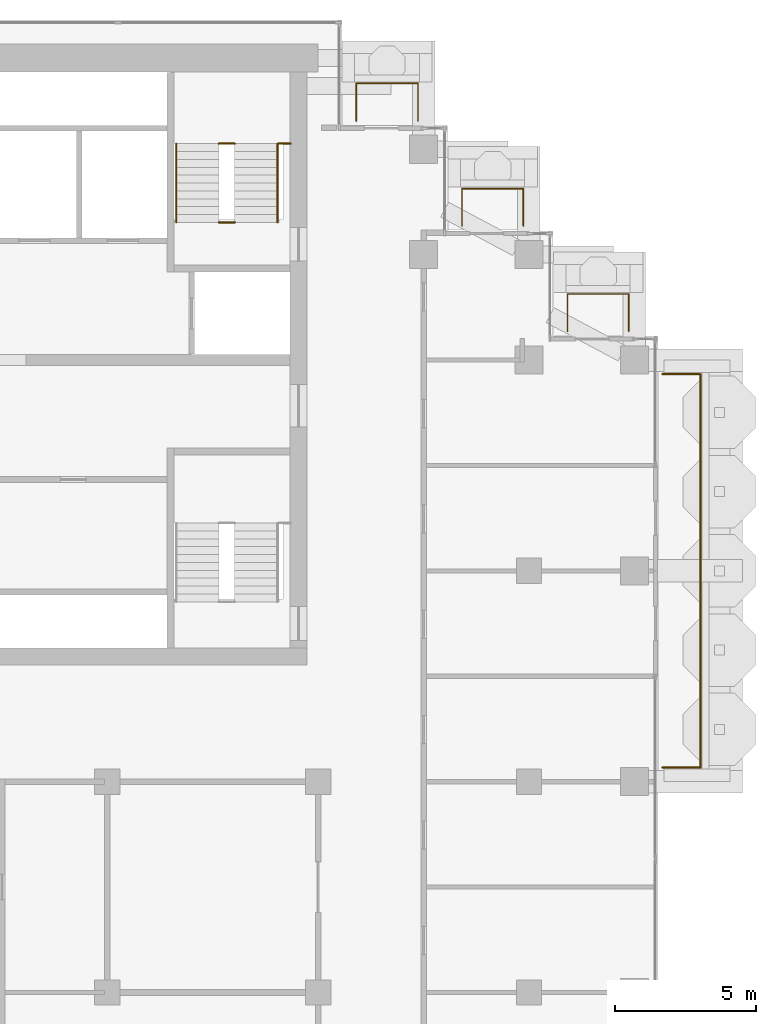
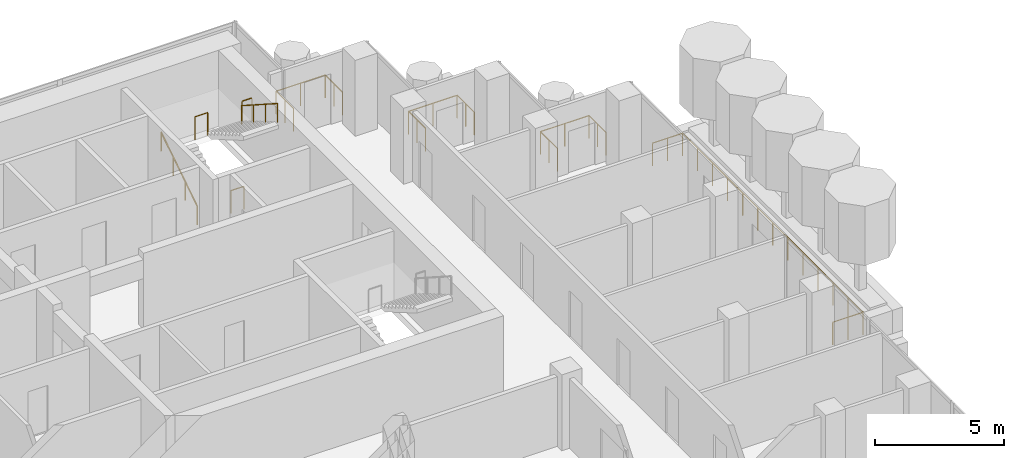
# One storey, part 18 of 19: 9 railings.
"""IFC4 building model written with IfcOpenShell, lengths in metres."""

from ifc_helpers import new_model, si_unit, direction, frame, origin, origin_2d, place, context, subcontext, project, spatial, circle, extrude, material, type_object, element, save


model = new_model("IFC4")

# Units and contexts
model_context = context("Model", 3, precision=1e-05, world=origin(), true_north=direction((0.0, 1.0)))
body_context = subcontext(model_context, "Body", "Model", "MODEL_VIEW")
ifc_project = project(units=[si_unit("LENGTHUNIT", "METRE"), si_unit("AREAUNIT", "SQUARE_METRE"), si_unit("VOLUMEUNIT", "CUBIC_METRE"), si_unit("PLANEANGLEUNIT", "RADIAN"), si_unit("MASSUNIT", "GRAM", prefix="KILO")], contexts=[model_context])

# Site, building, storey
site_placement = place(None, origin())
site = spatial("IfcSite", under=ifc_project, at=site_placement, CompositionType="ELEMENT")
building_placement = place(site_placement, origin())
building = spatial("IfcBuilding", under=site, at=building_placement, Name="Pilkhan Gate Tower", CompositionType="ELEMENT")
storey_placement = place(building_placement, frame((0.0, 0.0, 224.699951171875)))
storey = spatial("IfcBuildingStorey", under=building, at=storey_placement, Name="L58", CompositionType="ELEMENT", Elevation=224.699951171875)

# Railings
ifc_material_1 = material(Name="Pale anodised aluminium posts, laminated glass infill", Category="aluminium")
railing_type_1 = type_object("IfcRailingType", Name="Balcony guard G1", PredefinedType="BALUSTRADE", material=ifc_material_1)
railing_1_placement = place(storey_placement, frame((102.25, 68.0, 0.0)))
element("IfcRailing", 1, at=railing_1_placement, inside=storey, type_object=railing_type_1, Name="Balcony guard L58 E", PredefinedType="BALUSTRADE", context=body_context, shape_type="SweptSolid", body=[
    extrude(circle(Radius=0.02392578125, at=origin_2d()), frame((0.0, 0.0, 1.076171875), z_axis=(1.0, 0.0, 0.0), x_axis=(0.0, 1.0, 0.0)), (0.0, 0.0, 1.0), 1.35009765625),
    extrude(circle(Radius=0.02392578125, at=origin_2d()), frame((1.35009765625, 0.0, 1.076171875), z_axis=(0.0, 1.0, 0.0), x_axis=(-1.0, 0.0, 0.0)), (0.0, 0.0, 1.0), 14.0),
    extrude(circle(Radius=0.02392578125, at=origin_2d()), frame((1.35009765625, 14.0, 1.076171875), z_axis=(-1.0, 0.0, 0.0), x_axis=(0.0, -1.0, 0.0)), (0.0, 0.0, 1.0), 1.35009765625),
    extrude(circle(Radius=0.02099609375, at=origin_2d()), origin(), (0.0, 0.0, 1.0), 1.052001953125),
    extrude(circle(Radius=0.02099609375, at=origin_2d()), frame((0.675048828125, 0.0, 0.0)), (0.0, 0.0, 1.0), 1.052001953125),
    extrude(circle(Radius=0.02099609375, at=origin_2d()), frame((1.35009765625, 0.0, 0.0)), (0.0, 0.0, 1.0), 1.052001953125),
    extrude(circle(Radius=0.02099609375, at=origin_2d()), frame((1.35009765625, 1.166748046875, 0.0)), (0.0, 0.0, 1.0), 1.052001953125),
    extrude(circle(Radius=0.02099609375, at=origin_2d()), frame((1.35009765625, 2.333251953125, 0.0)), (0.0, 0.0, 1.0), 1.052001953125),
    extrude(circle(Radius=0.02099609375, at=origin_2d()), frame((1.35009765625, 3.5, 0.0)), (0.0, 0.0, 1.0), 1.052001953125),
    extrude(circle(Radius=0.02099609375, at=origin_2d()), frame((1.35009765625, 4.666748046875, 0.0)), (0.0, 0.0, 1.0), 1.052001953125),
    extrude(circle(Radius=0.02099609375, at=origin_2d()), frame((1.35009765625, 5.833251953125, 0.0)), (0.0, 0.0, 1.0), 1.052001953125),
    extrude(circle(Radius=0.02099609375, at=origin_2d()), frame((1.35009765625, 7.0, 0.0)), (0.0, 0.0, 1.0), 1.052001953125),
    extrude(circle(Radius=0.02099609375, at=origin_2d()), frame((1.35009765625, 8.166748046875, 0.0)), (0.0, 0.0, 1.0), 1.052001953125),
    extrude(circle(Radius=0.02099609375, at=origin_2d()), frame((1.35009765625, 9.333251953125, 0.0)), (0.0, 0.0, 1.0), 1.052001953125),
    extrude(circle(Radius=0.02099609375, at=origin_2d()), frame((1.35009765625, 10.5, 0.0)), (0.0, 0.0, 1.0), 1.052001953125),
    extrude(circle(Radius=0.02099609375, at=origin_2d()), frame((1.35009765625, 11.666748046875, 0.0)), (0.0, 0.0, 1.0), 1.052001953125),
    extrude(circle(Radius=0.02099609375, at=origin_2d()), frame((1.35009765625, 12.833251953125, 0.0)), (0.0, 0.0, 1.0), 1.052001953125),
    extrude(circle(Radius=0.02099609375, at=origin_2d()), frame((1.35009765625, 14.0, 0.0)), (0.0, 0.0, 1.0), 1.052001953125),
    extrude(circle(Radius=0.02099609375, at=origin_2d()), frame((0.675048828125, 14.0, 0.0)), (0.0, 0.0, 1.0), 1.052001953125),
    extrude(circle(Radius=0.02099609375, at=origin_2d()), frame((0.0, 14.0, 0.0)), (0.0, 0.0, 1.0), 1.052001953125),
])
railing_2_placement = place(storey_placement, frame((91.35009765625, 91.0, 0.0)))
element("IfcRailing", 2, at=railing_2_placement, inside=storey, type_object=railing_type_1, Name="Balcony guard L58 N", PredefinedType="BALUSTRADE", context=body_context, shape_type="SweptSolid", body=[
    extrude(circle(Radius=0.02392578125, at=origin_2d()), frame((0.0, 0.0, 1.076171875), z_axis=(0.0, 1.0, 0.0), x_axis=(-1.0, 0.0, 0.0)), (0.0, 0.0, 1.0), 1.35009765625),
    extrude(circle(Radius=0.02392578125, at=origin_2d()), frame((0.0, 1.35009765625, 1.076171875), z_axis=(1.0, 0.0, 0.0), x_axis=(0.0, 1.0, 0.0)), (0.0, 0.0, 1.0), 2.199951171875),
    extrude(circle(Radius=0.02392578125, at=origin_2d()), frame((2.199951171875, 1.35009765625, 1.076171875), z_axis=(0.0, -1.0, 0.0), x_axis=(1.0, 0.0, 0.0)), (0.0, 0.0, 1.0), 1.35009765625),
    extrude(circle(Radius=0.02099609375, at=origin_2d()), origin(), (0.0, 0.0, 1.0), 1.052001953125),
    extrude(circle(Radius=0.02099609375, at=origin_2d()), frame((0.0, 0.675048828125, 0.0)), (0.0, 0.0, 1.0), 1.052001953125),
    extrude(circle(Radius=0.02099609375, at=origin_2d()), frame((0.0, 1.35009765625, 0.0)), (0.0, 0.0, 1.0), 1.052001953125),
    extrude(circle(Radius=0.02099609375, at=origin_2d()), frame((1.10009765625, 1.35009765625, 0.0)), (0.0, 0.0, 1.0), 1.052001953125),
    extrude(circle(Radius=0.02099609375, at=origin_2d()), frame((2.199951171875, 1.35009765625, 0.0)), (0.0, 0.0, 1.0), 1.052001953125),
    extrude(circle(Radius=0.02099609375, at=origin_2d()), frame((2.199951171875, 0.675048828125, 0.0)), (0.0, 0.0, 1.0), 1.052001953125),
    extrude(circle(Radius=0.02099609375, at=origin_2d()), frame((2.199951171875, 0.0, 0.0)), (0.0, 0.0, 1.0), 1.052001953125),
])
for number, where, name in (
    (3, (95.1201171875, 87.27001953125, 0.0), "Balcony guard L58 N"),
    (4, (98.8701171875, 83.52001953125, 0.0), "Balcony guard L58 N"),
):
    element("IfcRailing", number, at=place(storey_placement, frame(where)), inside=storey, type_object=railing_type_1, Name=name, PredefinedType="BALUSTRADE", context=body_context, shape_type="SweptSolid", body=[
        extrude(circle(Radius=0.02392578125, at=origin_2d()), frame((0.0, 0.0, 1.076171875), z_axis=(0.0, 1.0, 0.0), x_axis=(-1.0, 0.0, 0.0)), (0.0, 0.0, 1.0), 1.330078125),
        extrude(circle(Radius=0.02392578125, at=origin_2d()), frame((0.0, 1.330078125, 1.076171875), z_axis=(1.0, 0.0, 0.0), x_axis=(0.0, 1.0, 0.0)), (0.0, 0.0, 1.0), 2.179931640625),
        extrude(circle(Radius=0.02392578125, at=origin_2d()), frame((2.179931640625, 1.330078125, 1.076171875), z_axis=(0.0, -1.0, 0.0), x_axis=(1.0, 0.0, 0.0)), (0.0, 0.0, 1.0), 1.330078125),
        extrude(circle(Radius=0.02099609375, at=origin_2d()), origin(), (0.0, 0.0, 1.0), 1.052001953125),
        extrude(circle(Radius=0.02099609375, at=origin_2d()), frame((0.0, 0.6650390625, 0.0)), (0.0, 0.0, 1.0), 1.052001953125),
        extrude(circle(Radius=0.02099609375, at=origin_2d()), frame((0.0, 1.330078125, 0.0)), (0.0, 0.0, 1.0), 1.052001953125),
        extrude(circle(Radius=0.02099609375, at=origin_2d()), frame((1.08984375, 1.330078125, 0.0)), (0.0, 0.0, 1.0), 1.052001953125),
        extrude(circle(Radius=0.02099609375, at=origin_2d()), frame((2.179931640625, 1.330078125, 0.0)), (0.0, 0.0, 1.0), 1.052001953125),
        extrude(circle(Radius=0.02099609375, at=origin_2d()), frame((2.179931640625, 0.6650390625, 0.0)), (0.0, 0.0, 1.0), 1.052001953125),
        extrude(circle(Radius=0.02099609375, at=origin_2d()), frame((2.179931640625, 0.0, 0.0)), (0.0, 0.0, 1.0), 1.052001953125),
    ])
ifc_material_2 = material(Name="Black powder-coated steel tube", Category="steel")
railing_type_2 = type_object("IfcRailingType", Name="Stair handrail HR1", PredefinedType="HANDRAIL", material=ifc_material_2)
railing_3_placement = place(storey_placement, frame((84.949951171875, 87.39990234375, 0.0)))
element("IfcRailing", 5, at=railing_3_placement, inside=storey, type_object=railing_type_2, Name="Stair ST4 handrail L58", PredefinedType="HANDRAIL", context=body_context, shape_type="SweptSolid", body=[
    extrude(circle(Radius=0.02392578125, at=origin_2d()), frame((0.0, 0.0, 0.8759765625), z_axis=(0.0, 0.841176092368, 0.540761298198), x_axis=(-1.0, 0.0, 0.0)), (0.0, 0.0, 1.0), 3.32861328125),
    extrude(circle(Radius=0.02099609375, at=origin_2d()), origin(), (0.0, 0.0, 1.0), 0.851806640625),
    extrude(circle(Radius=0.02099609375, at=origin_2d()), frame((0.0, 0.933349609375, 0.60009765625)), (0.0, 0.0, 1.0), 0.851806640625),
    extrude(circle(Radius=0.02099609375, at=origin_2d()), frame((0.0, 1.86669921875, 1.199951171875)), (0.0, 0.0, 1.0), 0.851806640625),
    extrude(circle(Radius=0.02099609375, at=origin_2d()), frame((0.0, 2.800048828125, 1.800048828125)), (0.0, 0.0, 1.0), 0.851806640625),
])
railing_4_placement = place(storey_placement, frame((88.550048828125, 90.199951171875, 1.800048828125)))
element("IfcRailing", 6, at=railing_4_placement, inside=storey, type_object=railing_type_2, Name="Stair ST4 handrail L58", PredefinedType="HANDRAIL", context=body_context, shape_type="SweptSolid", body=[
    extrude(circle(Radius=0.02392578125, at=origin_2d()), frame((0.0, 0.0, 0.8759765625), z_axis=(0.0, -0.841176092368, 0.540761298198), x_axis=(1.0, 0.0, 0.0)), (0.0, 0.0, 1.0), 3.32861328125),
    extrude(circle(Radius=0.02099609375, at=origin_2d()), origin(), (0.0, 0.0, 1.0), 0.851806640625),
    extrude(circle(Radius=0.02099609375, at=origin_2d()), frame((0.0, -0.933349609375, 0.60009765625)), (0.0, 0.0, 1.0), 0.851806640625),
    extrude(circle(Radius=0.02099609375, at=origin_2d()), frame((0.0, -1.86669921875, 1.199951171875)), (0.0, 0.0, 1.0), 0.851806640625),
    extrude(circle(Radius=0.02099609375, at=origin_2d()), frame((0.0, -2.800048828125, 1.800048828125)), (0.0, 0.0, 1.0), 0.851806640625),
])
ifc_material_3 = material(Name="Black powder-coated steel balusters", Category="steel")
railing_type_3 = type_object("IfcRailingType", Name="Stair well guard G3", PredefinedType="GUARDRAIL", material=ifc_material_3)
railing_5_placement = place(storey_placement, frame((88.580078125, 90.199951171875, 1.800048828125)))
element("IfcRailing", 7, at=railing_5_placement, inside=storey, type_object=railing_type_3, Name="Stair ST4 well guard L58", PredefinedType="GUARDRAIL", context=body_context, shape_type="SweptSolid", body=[
    extrude(circle(Radius=0.02392578125, at=origin_2d()), frame((0.0, 0.0, 1.076171875), z_axis=(1.0, 0.0, 0.0), x_axis=(0.0, 1.0, 0.0)), (0.0, 0.0, 1.0), 0.43994140625),
    extrude(circle(Radius=0.02099609375, at=origin_2d()), origin(), (0.0, 0.0, 1.0), 1.052001953125),
    extrude(circle(Radius=0.02099609375, at=origin_2d()), frame((0.43994140625, 0.0, 0.0)), (0.0, 0.0, 1.0), 1.052001953125),
])
for number, where, name in (
    (8, (86.4599609375, 87.39990234375, 0.0), "Stair ST4 well guard L58"),
    (9, (86.4599609375, 90.199951171875, 1.800048828125), "Stair ST4 well guard L58"),
):
    element("IfcRailing", number, at=place(storey_placement, frame(where)), inside=storey, type_object=railing_type_3, Name=name, PredefinedType="GUARDRAIL", context=body_context, shape_type="SweptSolid", body=[
        extrude(circle(Radius=0.02392578125, at=origin_2d()), frame((0.0, 0.0, 1.076171875), z_axis=(1.0, 0.0, 0.0), x_axis=(0.0, 1.0, 0.0)), (0.0, 0.0, 1.0), 0.580078125),
        extrude(circle(Radius=0.02099609375, at=origin_2d()), origin(), (0.0, 0.0, 1.0), 1.052001953125),
        extrude(circle(Radius=0.02099609375, at=origin_2d()), frame((0.580078125, 0.0, 0.0)), (0.0, 0.0, 1.0), 1.052001953125),
    ])

save(model, "model.ifc")
